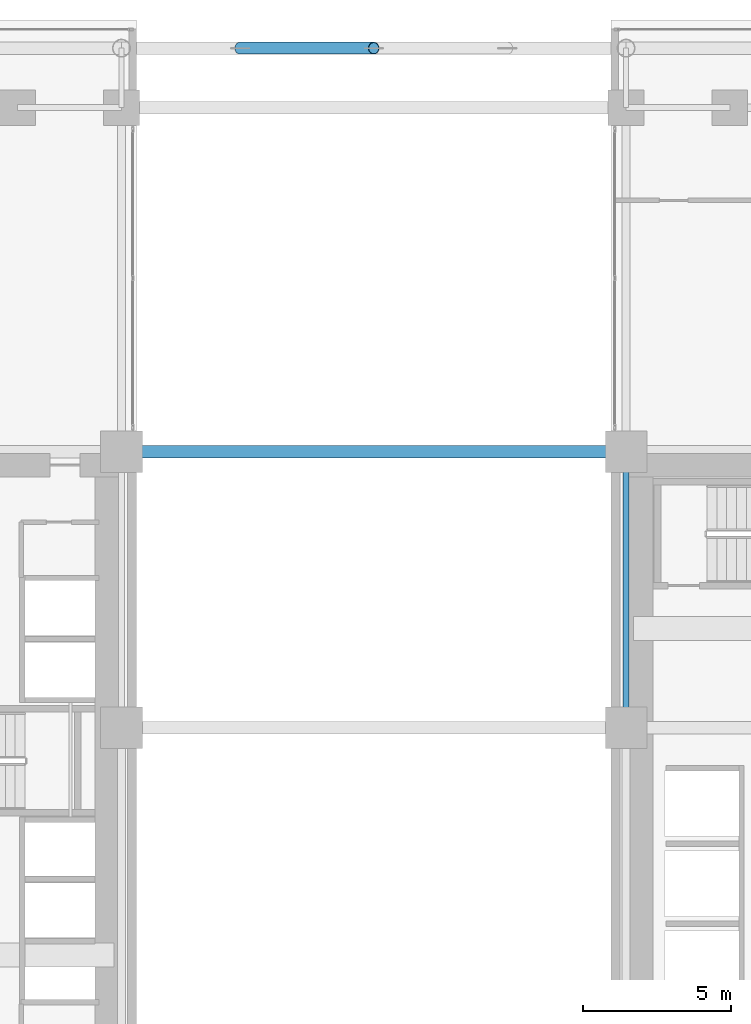
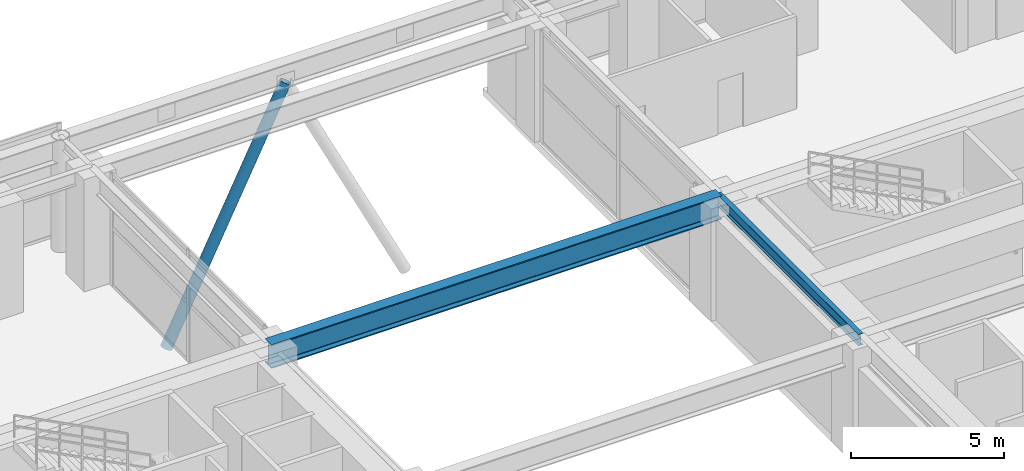
# One storey, part 16 of 30: 2 beams, 1 member.
"""IFC4 building model written with IfcOpenShell, lengths in metres."""

import ifcopenshell
import ifcopenshell.guid

model = None  # the IFC model being written
_history = None  # IfcOwnerHistory: only IFC2X3 demands one
_inside = {}  # id of a spatial element -> (the spatial element, [elements in it])
_under = {}  # id of a project, library or spatial element -> (it, [spatial elements below it])
_declared = {}  # id of a project -> (the project, [libraries it declares])
_typed = {}  # id of a type object -> (the type object, [elements of that type])
_made_of = {}  # id of a material, layer set ... -> (it, [elements and type objects made of it])


def new_model(schema):
    """Start an empty IFC model of exactly this schema.

    Asked for "IFC4X3", IfcOpenShell would pick the latest addendum, in which some entities
    have other attributes; the version numbers below select the first issue.
    IFC2X3 requires an IfcOwnerHistory on every rooted entity: one is made here for all.
    """
    global model, _history
    if schema == "IFC4X3":
        model = ifcopenshell.file(schema_version=(4, 3, 0, 0))
    else:
        model = ifcopenshell.file(schema=schema)
    _inside.clear()
    _under.clear()
    _declared.clear()
    _typed.clear()
    _made_of.clear()
    _history = None
    if model.schema == "IFC2X3":
        org = make("IfcOrganization", Name="unknown")
        user = make(
            "IfcPersonAndOrganization",
            ThePerson=make("IfcPerson", FamilyName="unknown"),
            TheOrganization=org,
        )
        app = make(
            "IfcApplication",
            ApplicationDeveloper=org,
            Version="unknown",
            ApplicationFullName="unknown",
            ApplicationIdentifier="unknown",
        )
        _history = make(
            "IfcOwnerHistory",
            OwningUser=user,
            OwningApplication=app,
            ChangeAction="ADDED",
            CreationDate=0,
        )
    return model


def make(cls, **values):
    """One entity of the class cls with the attributes given. An attribute that is None is left unset."""
    return model.create_entity(
        cls, **{name: value for name, value in values.items() if value is not None}
    )


def rooted(cls, **values):
    """An entity with a GlobalId (a new one), such as an element, a storey or a relation."""
    return make(cls, GlobalId=ifcopenshell.guid.new(), OwnerHistory=_history, **values)


def si_unit(unit_type, name, prefix=None):
    """IfcSIUnit, for example si_unit("LENGTHUNIT", "METRE", prefix="MILLI")."""
    return make("IfcSIUnit", UnitType=unit_type, Prefix=prefix, Name=name)


def assignment(units):
    """IfcUnitAssignment: the units of a project."""
    return None if units is None else make("IfcUnitAssignment", Units=units)


def point(xyz):
    """IfcCartesianPoint."""
    return None if xyz is None else make("IfcCartesianPoint", Coordinates=xyz)


def direction(xyz):
    """IfcDirection."""
    return None if xyz is None else make("IfcDirection", DirectionRatios=xyz)


def frame(location, z_axis=None, x_axis=None):
    """IfcAxis2Placement3D, a coordinate frame: its origin and axes. An axis left out is left unset."""
    return make(
        "IfcAxis2Placement3D",
        Location=point(location),
        Axis=direction(z_axis),
        RefDirection=direction(x_axis),
    )


def frame_2d(location, x_axis=None):
    """IfcAxis2Placement2D, a coordinate frame in the plane: its origin and x axis."""
    return make(
        "IfcAxis2Placement2D", Location=point(location), RefDirection=direction(x_axis)
    )


def origin():
    """The frame at (0, 0, 0) with its axes left unset."""
    return frame((0.0, 0.0, 0.0))


def origin_2d():
    """The frame at (0, 0) in the plane with its x axis left unset."""
    return frame_2d((0.0, 0.0))


def place(relative_to, where):
    """IfcLocalPlacement: puts the frame where relative to a parent placement (None: the world)."""
    return make(
        "IfcLocalPlacement", PlacementRelTo=relative_to, RelativePlacement=where
    )


def context(
    kind, dimensions, precision=None, world=None, true_north=None, identifier=None
):
    """IfcGeometricRepresentationContext, for example the 3D "Model" context."""
    return make(
        "IfcGeometricRepresentationContext",
        ContextIdentifier=identifier,
        ContextType=kind,
        CoordinateSpaceDimension=dimensions,
        Precision=precision,
        WorldCoordinateSystem=world,
        TrueNorth=true_north,
    )


def subcontext(parent, identifier, kind, view, scale=None):
    """IfcGeometricRepresentationSubContext, for example "Body" below "Model"."""
    return make(
        "IfcGeometricRepresentationSubContext",
        ContextIdentifier=identifier,
        ContextType=kind,
        ParentContext=parent,
        TargetScale=scale,
        TargetView=view,
    )


def project(units=None, contexts=None):
    """IfcProject with its units and contexts."""
    return rooted(
        "IfcProject",
        Name="project",
        RepresentationContexts=contexts,
        UnitsInContext=assignment(units),
    )


def spatial(cls, under=None, at=None, **own):
    """A site, building, storey or space (cls), placed at a placement, below another one or the project."""
    s = rooted(cls, ObjectPlacement=at, **own)
    if under is not None:
        _under.setdefault(under.id(), (under, []))[1].append(s)
    return s


def profile(cls, at=None, kind="AREA", **sizes):
    """A parametric profile (cls). Its sizes go by their IFC names, for example OverallWidth=200.0."""
    return make(cls, ProfileType=kind, Position=at, **sizes)


def hollow_circle(**sizes):
    """IfcCircleHollowProfileDef."""
    return profile("IfcCircleHollowProfileDef", **sizes)


def i_section(**sizes):
    """IfcIShapeProfileDef."""
    return profile("IfcIShapeProfileDef", **sizes)


def extrude(swept, where, along, depth):
    """IfcExtrudedAreaSolid: the profile swept, set in the frame where, extruded along a direction by depth."""
    return make(
        "IfcExtrudedAreaSolid",
        SweptArea=swept,
        Position=where,
        ExtrudedDirection=direction(along),
        Depth=depth,
    )


def shape(context_of_items, identifier, shape_type, items):
    """IfcShapeRepresentation: the items that make up one representation, for example the "Body"."""
    return make(
        "IfcShapeRepresentation",
        ContextOfItems=context_of_items,
        RepresentationIdentifier=identifier,
        RepresentationType=shape_type,
        Items=items,
    )


def source(mapping_origin, context_of_items, identifier, shape_type, items):
    """IfcRepresentationMap: a shape defined once, which mapped items show again and again."""
    return make(
        "IfcRepresentationMap",
        MappingOrigin=mapping_origin,
        MappedRepresentation=shape(context_of_items, identifier, shape_type, items),
    )


def transform(
    local_origin,
    x_axis=None,
    y_axis=None,
    z_axis=None,
    scale=None,
    scale2=None,
    scale3=None,
    uniform=True,
):
    """IfcCartesianTransformationOperator3D, or its non-uniform kind. x_axis, y_axis, z_axis: its Axis1, 2, 3."""
    if uniform:
        return make(
            "IfcCartesianTransformationOperator3D",
            Axis1=direction(x_axis),
            Axis2=direction(y_axis),
            LocalOrigin=point(local_origin),
            Scale=scale,
            Axis3=direction(z_axis),
        )
    return make(
        "IfcCartesianTransformationOperator3DnonUniform",
        Axis1=direction(x_axis),
        Axis2=direction(y_axis),
        LocalOrigin=point(local_origin),
        Scale=scale,
        Axis3=direction(z_axis),
        Scale2=scale2,
        Scale3=scale3,
    )


def mapped(mapping_source, mapping_target):
    """IfcMappedItem: shows the shape of a source again, moved by a transform."""
    return make(
        "IfcMappedItem", MappingSource=mapping_source, MappingTarget=mapping_target
    )


def material(Name=None, Category=None):
    """IfcMaterial."""
    return make("IfcMaterial", Name=Name, Category=Category)


def material_profile(
    of_material, cross_section, Name=None, Category=None, Priority=None
):
    """IfcMaterialProfile: a cross section and its material."""
    return make(
        "IfcMaterialProfile",
        Name=Name,
        Material=of_material,
        Profile=cross_section,
        Priority=Priority,
        Category=Category,
    )


def profile_set(profiles, Name=None, composite=None):
    """IfcMaterialProfileSet."""
    return make(
        "IfcMaterialProfileSet",
        Name=Name,
        MaterialProfiles=profiles,
        CompositeProfile=composite,
    )


def made_of(thing, what):
    """Note that an element or type object is made of a material, layer set ...; save() writes the relation."""
    if what is not None:
        _made_of.setdefault(what.id(), (what, []))[1].append(thing)
    return thing


def type_object(cls, material=None, **own):
    """A type object (cls), such as IfcWallType, which elements share."""
    return made_of(rooted(cls, **own), material)


def element(
    cls,
    number,
    at=None,
    inside=None,
    cuts=None,
    type_object=None,
    material=None,
    context=None,
    identifier="Body",
    shape_type=None,
    held_by="IfcProductDefinitionShape",
    body=None,
    shapes=None,
    **own,
):
    """One element of the class cls, such as IfcWall. Its Tag is "e" and its number.

    at: its placement. inside: the storey or other place that contains it. cuts: it is an
    opening in that element (IfcRelVoidsElement). A single representation is given by context,
    identifier, shape_type and body (its items); several are given by shapes. held_by: the class
    of the entity that holds the representations. save() writes the other relations.
    """
    e = rooted(cls, Tag="e%d" % number, ObjectPlacement=at, **own)
    if body is not None:
        shapes = [shape(context, identifier, shape_type, body)]
    if shapes is not None:
        e.Representation = make(held_by, Representations=shapes)
    if inside is not None:
        _inside.setdefault(inside.id(), (inside, []))[1].append(e)
    if cuts is not None:
        rooted(
            "IfcRelVoidsElement", RelatingBuildingElement=cuts, RelatedOpeningElement=e
        )
    if type_object is not None:
        _typed.setdefault(type_object.id(), (type_object, []))[1].append(e)
    return made_of(e, material)


def aggregate(whole, parts):
    """IfcRelAggregates: a whole, such as a stair, and the parts it consists of."""
    return rooted("IfcRelAggregates", RelatingObject=whole, RelatedObjects=parts)


def save(model, path):
    """Write the relations noted so far, then the file.

    IfcRelAggregates (storeys below a building ...), IfcRelContainedInSpatialStructure (elements
    in a storey), IfcRelDefinesByType, IfcRelAssociatesMaterial and IfcRelDeclares: one each for
    every whole, place, type object, material and project.
    """
    for whole, parts in _under.values():
        aggregate(whole, parts)
    for where, things in _inside.values():
        rooted(
            "IfcRelContainedInSpatialStructure",
            RelatedElements=things,
            RelatingStructure=where,
        )
    for kind, things in _typed.values():
        rooted("IfcRelDefinesByType", RelatedObjects=things, RelatingType=kind)
    for what, things in _made_of.values():
        rooted("IfcRelAssociatesMaterial", RelatedObjects=things, RelatingMaterial=what)
    for by, libraries in _declared.values():
        rooted("IfcRelDeclares", RelatingContext=by, RelatedDefinitions=libraries)
    model.write(path)


model = new_model("IFC4")

# Units and contexts
model_context = context("Model", 3, precision=1e-05, world=origin(), true_north=direction((0.0, 1.0)))
body_context = subcontext(model_context, "Body", "Model", "MODEL_VIEW")
ifc_project = project(units=[si_unit("LENGTHUNIT", "METRE"), si_unit("AREAUNIT", "SQUARE_METRE"), si_unit("VOLUMEUNIT", "CUBIC_METRE"), si_unit("PLANEANGLEUNIT", "RADIAN"), si_unit("MASSUNIT", "GRAM", prefix="KILO")], contexts=[model_context])

# Site, building, storey
site_placement = place(None, origin())
site = spatial("IfcSite", under=ifc_project, at=site_placement, CompositionType="ELEMENT")
building_placement = place(site_placement, origin())
building = spatial("IfcBuilding", under=site, at=building_placement, Name="Ocotamira Hotel", CompositionType="ELEMENT")
storey_placement = place(building_placement, frame((0.0, 0.0, 19.199951171875)))
storey = spatial("IfcBuildingStorey", under=building, at=storey_placement, Name="L04", CompositionType="ELEMENT", Elevation=19.199951171875)

# Beams
ifc_material_1 = material(Name="Steel ASTM A992 Grade 50", Category="steel")
ifc_material_profile_1 = material_profile(ifc_material_1, i_section(OverallWidth=0.18994140625, OverallDepth=0.45703125, WebThickness=0.009033203125, FlangeThickness=0.014404296875, FilletRadius=0.010009765625, at=origin_2d()), Name="W18X50")
ifc_profile_set_1 = profile_set([ifc_material_profile_1], Name="Steel ASTM A992 Grade 50")
beam_type_1 = type_object("IfcBeamType", Name="BM-SEC-W18X50", PredefinedType="JOIST", material=ifc_profile_set_1)
shared_shape_1 = source(origin(), body_context, "Body", "SweptSolid", [
    extrude(i_section(OverallWidth=0.18994140625, OverallDepth=0.45703125, WebThickness=0.009033203125, FlangeThickness=0.014404296875, FilletRadius=0.010009765625, at=origin_2d()), origin(), (0.0, 0.0, 1.0), 9.300048828125),
])
beam_1_placement = place(storey_placement, frame((40.5, 28.14990234375, 4.25146484375), z_axis=(0.0, 1.0, 0.0), x_axis=(-1.0, 0.0, 0.0)))
element("IfcBeam", 1, at=beam_1_placement, inside=storey, type_object=beam_type_1, Name="L04 Beam X40.5 Y28.15-37.45", PredefinedType="JOIST", context=body_context, shape_type="MappedRepresentation", body=[
    mapped(shared_shape_1, transform((0.0, 0.0, 0.0), scale=1.0)),
])
ifc_material_2 = material(Name="Steel ASTM A913 Grade 65", Category="steel")
ifc_material_profile_2 = material_profile(ifc_material_2, i_section(OverallWidth=0.423095703125, OverallDepth=0.947998046875, WebThickness=0.02392578125, FlangeThickness=0.042724609375, FilletRadius=0.02392578125, at=origin_2d()), Name="W36X302")
ifc_profile_set_2 = profile_set([ifc_material_profile_2], Name="Steel ASTM A913 Grade 65")
beam_type_2 = type_object("IfcBeamType", Name="BM-TRUSS-W36X302", PredefinedType="BEAM", material=ifc_profile_set_2)
shared_shape_2 = source(origin(), body_context, "Body", "SweptSolid", [
    extrude(i_section(OverallWidth=0.423095703125, OverallDepth=0.947998046875, WebThickness=0.02392578125, FlangeThickness=0.042724609375, FilletRadius=0.02392578125, at=origin_2d()), origin(), (0.0, 0.0, 1.0), 17.0),
])
beam_2_placement = place(storey_placement, frame((23.5, 37.449951171875, 4.006103515625), z_axis=(1.0, 0.0, 0.0), x_axis=(0.0, 1.0, 0.0)))
element("IfcBeam", 2, at=beam_2_placement, inside=storey, type_object=beam_type_2, Name="L04 Girder Y37.45 X23.5-40.5", PredefinedType="BEAM", context=body_context, shape_type="MappedRepresentation", body=[
    mapped(shared_shape_2, transform((0.0, 0.0, 0.0), scale=1.0)),
])

# Member
ifc_material_3 = material(Name="Pale-metal coated steel ASTM A500 Grade C", Category="steel")
ifc_material_profile_3 = material_profile(ifc_material_3, hollow_circle(Radius=0.202880859375, WallThickness=0.01611328125, at=origin_2d()), Name="CHS406X16")
ifc_profile_set_3 = profile_set([ifc_material_profile_3], Name="Pale-metal coated steel ASTM A500 Grade C")
member_type = type_object("IfcMemberType", Name="MEM-ARCH-CHS406", PredefinedType="CHORD", material=ifc_profile_set_3)
shared_shape_3 = source(origin(), body_context, "Body", "SweptSolid", [
    extrude(hollow_circle(Radius=0.202880859375, WallThickness=0.01611328125, at=origin_2d()), origin(), (0.0, 0.0, 1.0), 10.107177734375),
])
member_placement = place(storey_placement, frame((27.5, 51.050048828125, -5.39990234375), z_axis=(0.445231758648, 0.0, 0.895415367911), x_axis=(0.0, 1.0, 0.0)))
element("IfcMember", 3, at=member_placement, inside=storey, type_object=member_type, Name="Giant Portal Arch Rib N2", PredefinedType="CHORD", context=body_context, shape_type="MappedRepresentation", body=[
    mapped(shared_shape_3, transform((0.0, 0.0, 0.0), scale=1.0)),
])

save(model, "model.ifc")
